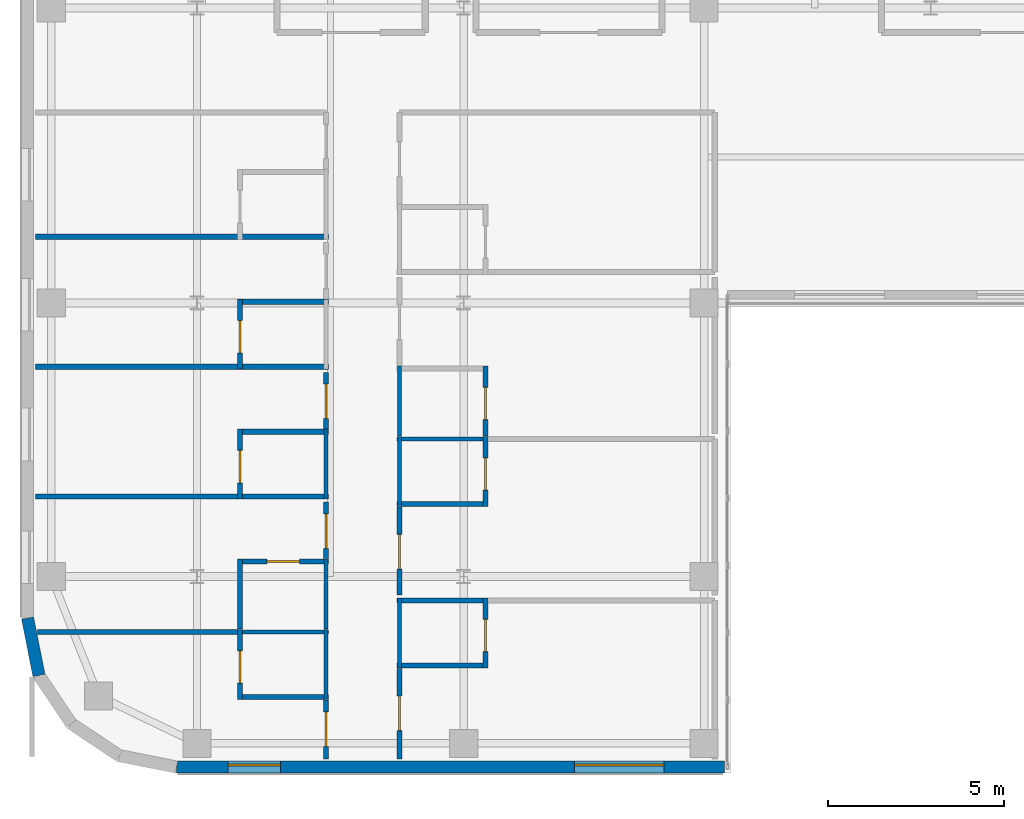
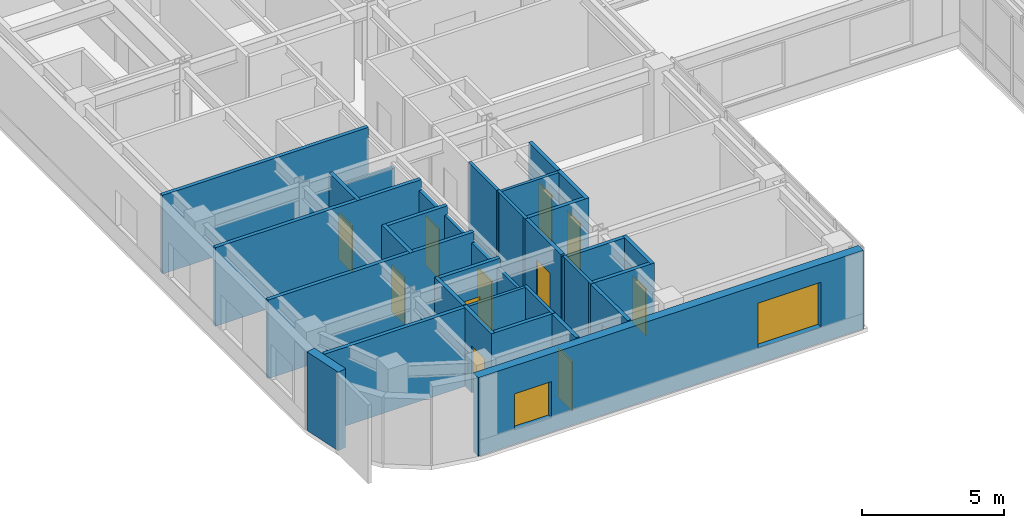
# One storey, part 9 of 21: 33 walls, 12 doors, 2 windows, 14 openings.
"""IFC4 building model written with IfcOpenShell, lengths in metres."""

from ifc_helpers import new_model, si_unit, direction, frame, frame_2d, origin, place, context, subcontext, project, spatial, rectangle, extrude, source, transform, mapped, material, layer, layer_set, type_object, type_shapes, element, fill, save


model = new_model("IFC4")

# Units and contexts
model_context = context("Model", 3, precision=1e-05, world=origin(), true_north=direction((0.0, 1.0)))
body_context = subcontext(model_context, "Body", "Model", "MODEL_VIEW")
ifc_project = project(units=[si_unit("LENGTHUNIT", "METRE"), si_unit("AREAUNIT", "SQUARE_METRE"), si_unit("VOLUMEUNIT", "CUBIC_METRE"), si_unit("PLANEANGLEUNIT", "RADIAN"), si_unit("MASSUNIT", "GRAM", prefix="KILO")], contexts=[model_context])

# Site, building, storey
site_placement = place(None, origin())
site = spatial("IfcSite", under=ifc_project, at=site_placement, CompositionType="ELEMENT")
building_placement = place(site_placement, origin())
building = spatial("IfcBuilding", under=site, at=building_placement, Name="Tolvann Quenvar Hotel", CompositionType="ELEMENT")
storey_placement = place(building_placement, frame((0.0, 0.0, 161.25)))
storey = spatial("IfcBuildingStorey", under=building, at=storey_placement, Name="L42", CompositionType="ELEMENT", Elevation=161.25)

# Wall, openings, windows
ifc_material_1 = material(Name="Kiln-fired red and buff architectural clay brickwork and terracotta masonry", Category="masonry")
ifc_layer_1 = layer(ifc_material_1, 0.35009765625)
ifc_layer_set_1 = layer_set([ifc_layer_1], Name="Kiln-fired red and buff architectural clay brickwork and terracotta masonry")
wall_type_1 = type_object("IfcWallType", Name="WALL_EXT_BRICK_350", PredefinedType="SOLIDWALL", material=ifc_layer_set_1)
wall_1_placement = place(storey_placement, frame((7.01708984375, 2.77490234375, 0.0), z_axis=(0.0, 0.0, 1.0), x_axis=(1.0, 0.0, 0.0)))
wall_1 = element("IfcWall", 1, at=wall_1_placement, inside=storey, type_object=wall_type_1, Name="Exterior Chicago Brick Wall L42-E04", PredefinedType="SOLIDWALL", context=body_context, shape_type="SweptSolid", body=[
    extrude(rectangle(XDim=15.60791015625, YDim=0.35009765625, at=frame_2d((7.803955078125, 0.0))), origin(), (0.0, 0.0, 1.0), 3.3701171875),
])
opening_1_placement = place(wall_1_placement, frame((11.33203125, 0.0, 0.679931640625)))
opening_1 = element("IfcOpeningElement", 2, at=opening_1_placement, cuts=wall_1, Name="Opening W-09", PredefinedType="OPENING", context=body_context, shape_type="SweptSolid", body=[
    extrude(rectangle(XDim=2.550048828125, YDim=1.919921875, at=frame_2d((1.27490234375, 0.9599609375))), frame((0.0, 0.18505859375, 0.0), z_axis=(0.0, -1.0, 0.0), x_axis=(1.0, 0.0, 0.0)), (0.0, 0.0, 1.0), 0.3701171875),
])
opening_2_placement = place(wall_1_placement, frame((1.466064453125, 0.0, 0.6201171875)))
opening_2 = element("IfcOpeningElement", 3, at=opening_2_placement, cuts=wall_1, Name="Opening W-08", PredefinedType="OPENING", context=body_context, shape_type="SweptSolid", body=[
    extrude(rectangle(XDim=1.5, YDim=1.550048828125, at=frame_2d((0.75, 0.77490234375))), frame((0.0, 0.18505859375, 0.0), z_axis=(0.0, -1.0, 0.0), x_axis=(1.0, 0.0, 0.0)), (0.0, 0.0, 1.0), 0.3701171875),
])
ifc_material_2 = material(Name="Thermally broken bronze-anodised aluminium frame with double low-E glazing", Category="aluminium")
window_type_1 = type_object("IfcWindowType", Name="WIN_COR_1500x2050", PartitioningType="SINGLE_PANEL", PredefinedType="WINDOW", material=ifc_material_2)
shared_shape_1 = source(origin(), body_context, "Body", "SweptSolid", [
    extrude(rectangle(XDim=1.5, YDim=1.550048828125, at=frame_2d((0.75, 0.77490234375))), frame((0.0, 0.090087890625, 0.0), z_axis=(0.0, -1.0, 0.0), x_axis=(1.0, 0.0, 0.0)), (0.0, 0.0, 1.0), 0.06005859375),
])
type_shapes(window_type_1, [shared_shape_1])
window_1_placement = place(opening_2_placement, origin())
window_1 = element("IfcWindow", 4, at=window_1_placement, inside=storey, type_object=window_type_1, Name="Chicago Window W-08 (EW-L42-E04-WD02)", OverallHeight=1.550048828125, OverallWidth=1.5, PartitioningType="SINGLE_PANEL", PredefinedType="WINDOW", context=body_context, shape_type="MappedRepresentation", body=[
    mapped(shared_shape_1, transform((0.0, 0.0, 0.0), x_axis=(1.0, 0.0, 0.0), y_axis=(0.0, 1.0, 0.0), z_axis=(0.0, 0.0, 1.0), scale=1.0)),
])
fill(opening_2, window_1)
window_type_2 = type_object("IfcWindowType", Name="WIN_LNG_2550x1950", PartitioningType="TRIPLE_PANEL_HORIZONTAL", PredefinedType="WINDOW", material=ifc_material_2)
shared_shape_2 = source(origin(), body_context, "Body", "SweptSolid", [
    extrude(rectangle(XDim=2.550048828125, YDim=1.919921875, at=frame_2d((1.27490234375, 0.9599609375))), frame((0.0, 0.090087890625, 0.0), z_axis=(0.0, -1.0, 0.0), x_axis=(1.0, 0.0, 0.0)), (0.0, 0.0, 1.0), 0.06005859375),
])
type_shapes(window_type_2, [shared_shape_2])
window_2_placement = place(opening_1_placement, origin())
window_2 = element("IfcWindow", 5, at=window_2_placement, inside=storey, type_object=window_type_2, Name="Chicago Window W-09 (EW-L42-E04-W01)", OverallHeight=1.919921875, OverallWidth=2.550048828125, PartitioningType="TRIPLE_PANEL_HORIZONTAL", PredefinedType="WINDOW", context=body_context, shape_type="MappedRepresentation", body=[
    mapped(shared_shape_2, transform((0.0, 0.0, 0.0), x_axis=(1.0, 0.0, 0.0), y_axis=(0.0, 1.0, 0.0), z_axis=(0.0, 0.0, 1.0), scale=1.0)),
])
fill(opening_1, window_2)

# Walls
wall_2_placement = place(storey_placement, frame((2.77490234375, 7.01708984375, 0.0), z_axis=(0.0, 0.0, 1.0), x_axis=(0.195072403631, -0.980788844421, 0.0)))
element("IfcWall", 6, at=wall_2_placement, inside=storey, type_object=wall_type_1, Name="Exterior Chicago Brick Wall L42-E24", PredefinedType="SOLIDWALL", context=body_context, shape_type="SweptSolid", body=[
    extrude(rectangle(XDim=1.66455078125, YDim=0.35009765625, at=frame_2d((0.832275390625, 0.0))), origin(), (0.0, 0.0, 1.0), 3.3701171875),
])
ifc_material_3 = material(Name="Moisture-resistant acoustic plumbing wall assembly")
ifc_layer_2 = layer(ifc_material_3, 0.1201171875)
ifc_layer_set_2 = layer_set([ifc_layer_2], Name="Moisture-resistant acoustic plumbing wall assembly")
wall_type_2 = type_object("IfcWallType", Name="WALL_PART_BATH_120", PredefinedType="PLUMBINGWALL", material=ifc_layer_set_2)
wall_3_placement = place(storey_placement, frame((8.760009765625, 6.6201171875, 0.0), z_axis=(0.0, 0.0, 1.0), x_axis=(1.0, 0.0, 0.0)))
element("IfcWall", 7, at=wall_3_placement, inside=storey, type_object=wall_type_2, Name="Non-Rated Plumbing Partition PT-SPC-L42-ENS-WO01-N", PredefinedType="PLUMBINGWALL", context=body_context, shape_type="SweptSolid", body=[
    extrude(rectangle(XDim=2.590087890625, YDim=0.1201171875, at=frame_2d((1.294921875, 0.0))), origin(), (0.0, 0.0, 1.0), 3.3701171875),
])
wall_4_placement = place(storey_placement, frame((11.280029296875, 4.699951171875, 0.0), z_axis=(0.0, 0.0, 1.0), x_axis=(0.0, 1.0, 0.0)))
element("IfcWall", 8, at=wall_4_placement, inside=storey, type_object=wall_type_2, Name="Non-Rated Plumbing Partition PT-SPC-L42-ENS-WO01-E", PredefinedType="PLUMBINGWALL", context=body_context, shape_type="SweptSolid", body=[
    extrude(rectangle(XDim=1.989990234375, YDim=0.1201171875, at=frame_2d((0.9951171875, 0.0))), origin(), (0.0, 0.0, 1.0), 3.3701171875),
])
for number, where, z_axis, x_axis, name in (
    (9, (11.280029296875, 6.7099609375, 0.0), (0.0, 0.0, 1.0), (0.0, 1.0, 0.0), "Non-Rated Plumbing Partition PT-SPC-L42-ENS-WO02-E"),
    (10, (11.280029296875, 10.409912109375, 0.0), (0.0, 0.0, 1.0), (0.0, 1.0, 0.0), "Non-Rated Plumbing Partition PT-SPC-L42-ENS-WO03-E"),
):
    element("IfcWall", number, at=place(storey_placement, frame(where, z_axis=z_axis, x_axis=x_axis)), inside=storey, type_object=wall_type_2, Name=name, PredefinedType="PLUMBINGWALL", context=body_context, shape_type="SweptSolid", body=[
        extrude(rectangle(XDim=1.989990234375, YDim=0.1201171875, at=frame_2d((0.9951171875, 0.0))), origin(), (0.0, 0.0, 1.0), 3.0009765625),
    ])
wall_5_placement = place(storey_placement, frame((13.3701171875, 5.60009765625, 0.0), z_axis=(0.0, 0.0, 1.0), x_axis=(0.0, 1.0, 0.0)))
element("IfcWall", 11, at=wall_5_placement, inside=storey, type_object=wall_type_2, Name="Non-Rated Plumbing Partition PT-SPC-L42-ENS-WI01-W", PredefinedType="PLUMBINGWALL", context=body_context, shape_type="SweptSolid", body=[
    extrude(rectangle(XDim=1.989990234375, YDim=0.1201171875, at=frame_2d((0.9951171875, 0.0))), origin(), (0.0, 0.0, 1.0), 3.3701171875),
])
wall_6_placement = place(storey_placement, frame((13.300048828125, 12.1201171875, 0.0), z_axis=(0.0, 0.0, 1.0), x_axis=(1.0, 0.0, 0.0)))
element("IfcWall", 12, at=wall_6_placement, inside=storey, type_object=wall_type_2, Name="Non-Rated Plumbing Partition PT-SPC-L42-ENS-WI02-N", PredefinedType="PLUMBINGWALL", context=body_context, shape_type="SweptSolid", body=[
    extrude(rectangle(XDim=2.58984375, YDim=0.1201171875, at=frame_2d((1.294921875, 0.0))), origin(), (0.0, 0.0, 1.0), 3.3701171875),
])
for number, where, z_axis, x_axis, name in (
    (13, (13.3701171875, 10.199951171875, 0.0), (0.0, 0.0, 1.0), (0.0, 1.0, 0.0), "Non-Rated Plumbing Partition PT-SPC-L42-ENS-WI02-W"),
    (14, (13.3701171875, 12.2099609375, 0.0), (0.0, 0.0, 1.0), (0.0, 1.0, 0.0), "Non-Rated Plumbing Partition PT-SPC-L42-ENS-WI03-W"),
):
    element("IfcWall", number, at=place(storey_placement, frame(where, z_axis=z_axis, x_axis=x_axis)), inside=storey, type_object=wall_type_2, Name=name, PredefinedType="PLUMBINGWALL", context=body_context, shape_type="SweptSolid", body=[
        extrude(rectangle(XDim=1.989990234375, YDim=0.1201171875, at=frame_2d((0.9951171875, 0.0))), origin(), (0.0, 0.0, 1.0), 3.3701171875),
    ])

# Wall, opening, door
ifc_material_4 = material(Name="Acoustic twin-stud fire-rated gypsum plasterboard partition")
ifc_layer_3 = layer(ifc_material_4, 0.14990234375)
ifc_layer_set_3 = layer_set([ifc_layer_3], Name="Acoustic twin-stud fire-rated gypsum plasterboard partition")
wall_type_3 = type_object("IfcWallType", Name="WALL_PART_SUITE_150", PredefinedType="PARTITIONING", material=ifc_layer_set_3)
wall_7_placement = place(storey_placement, frame((8.830078125, 4.699951171875, 0.0), z_axis=(0.0, 0.0, 1.0), x_axis=(0.0, 1.0, 0.0)))
wall_7 = element("IfcWall", 15, at=wall_7_placement, inside=storey, type_object=wall_type_3, Name="Interior Partition PT-SPC-L42-ENS-WO01-ENT", PredefinedType="PARTITIONING", context=body_context, shape_type="SweptSolid", body=[
    extrude(rectangle(XDim=1.989990234375, YDim=0.14990234375, at=frame_2d((0.9951171875, 0.0))), origin(), (0.0, 0.0, 1.0), 3.3701171875),
])
opening_3_placement = place(wall_7_placement, frame((0.465087890625, 0.0, 0.0)))
opening_3 = element("IfcOpeningElement", 16, at=opening_3_placement, cuts=wall_7, Name="Opening WD-01", PredefinedType="OPENING", context=body_context, shape_type="SweptSolid", body=[
    extrude(rectangle(XDim=0.919921875, YDim=2.010009765625, at=frame_2d((0.4599609375, 1.0048828125))), frame((0.0, 0.0849609375, 0.0), z_axis=(0.0, -1.0, 0.0), x_axis=(1.0, 0.0, 0.0)), (0.0, 0.0, 1.0), 0.169921875),
])
ifc_material_5 = material(Name="Solid-core American oak acoustic fire door leaf in steel frame", Category="steel")
door_type_1 = type_object("IfcDoorType", Name="DOOR_WC_920", OperationType="NOTDEFINED", PredefinedType="DOOR", material=ifc_material_5)
shared_shape_3 = source(origin(), body_context, "Body", "SweptSolid", [
    extrude(rectangle(XDim=0.919921875, YDim=2.010009765625, at=frame_2d((0.4599609375, 1.0048828125))), frame((0.0, 0.02490234375, 0.0), z_axis=(0.0, -1.0, 0.0), x_axis=(1.0, 0.0, 0.0)), (0.0, 0.0, 1.0), 0.050048828125),
])
type_shapes(door_type_1, [shared_shape_3])
door_1_placement = place(opening_3_placement, origin())
door_1 = element("IfcDoor", 17, at=door_1_placement, inside=storey, type_object=door_type_1, Name="Interior Door DOOR-SPC-L42-ENS-WO01", OperationType="SINGLE_SWING_RIGHT", OverallHeight=2.010009765625, OverallWidth=0.919921875, PredefinedType="DOOR", context=body_context, shape_type="MappedRepresentation", body=[
    mapped(shared_shape_3, transform((0.0, 0.0, 0.0), x_axis=(1.0, 0.0, 0.0), y_axis=(0.0, 1.0, 0.0), z_axis=(0.0, 0.0, 1.0), scale=1.0)),
])
fill(opening_3, door_1)

# Walls
wall_8_placement = place(storey_placement, frame((8.760009765625, 4.77001953125, 0.0), z_axis=(0.0, 0.0, 1.0), x_axis=(1.0, 0.0, 0.0)))
element("IfcWall", 18, at=wall_8_placement, inside=storey, type_object=wall_type_3, Name="Interior Partition PT-SPC-L42-ENS-WO01-S", PredefinedType="PARTITIONING", context=body_context, shape_type="SweptSolid", body=[
    extrude(rectangle(XDim=2.590087890625, YDim=0.14990234375, at=frame_2d((1.294921875, 0.0))), origin(), (0.0, 0.0, 1.0), 3.3701171875),
])
wall_9_placement = place(storey_placement, frame((8.830078125, 6.7099609375, 0.0), z_axis=(0.0, 0.0, 1.0), x_axis=(0.0, 1.0, 0.0)))
element("IfcWall", 19, at=wall_9_placement, inside=storey, type_object=wall_type_3, Name="Interior Partition PT-SPC-L42-ENS-WO02-ENT", PredefinedType="PARTITIONING", context=body_context, shape_type="SweptSolid", body=[
    extrude(rectangle(XDim=1.989990234375, YDim=0.14990234375, at=frame_2d((0.9951171875, 0.0))), origin(), (0.0, 0.0, 1.0), 3.3701171875),
])

# Wall, opening, door
wall_10_placement = place(storey_placement, frame((8.760009765625, 8.6298828125, 0.0), z_axis=(0.0, 0.0, 1.0), x_axis=(1.0, 0.0, 0.0)))
wall_10 = element("IfcWall", 20, at=wall_10_placement, inside=storey, type_object=wall_type_3, Name="Interior Partition PT-SPC-L42-ENS-WO02-N", PredefinedType="PARTITIONING", context=body_context, shape_type="SweptSolid", body=[
    extrude(rectangle(XDim=2.590087890625, YDim=0.14990234375, at=frame_2d((1.294921875, 0.0))), origin(), (0.0, 0.0, 1.0), 3.3701171875),
])
opening_4_placement = place(wall_10_placement, frame((0.8349609375, 0.0, 0.0)))
opening_4 = element("IfcOpeningElement", 21, at=opening_4_placement, cuts=wall_10, Name="Opening WD-01", PredefinedType="OPENING", context=body_context, shape_type="SweptSolid", body=[
    extrude(rectangle(XDim=0.919921875, YDim=2.010009765625, at=frame_2d((0.4599609375, 1.0048828125))), frame((0.0, 0.0849609375, 0.0), z_axis=(0.0, -1.0, 0.0), x_axis=(1.0, 0.0, 0.0)), (0.0, 0.0, 1.0), 0.169921875),
])
door_2_placement = place(opening_4_placement, origin())
door_2 = element("IfcDoor", 22, at=door_2_placement, inside=storey, type_object=door_type_1, Name="Interior Door DOOR-SPC-L42-ENS-WO02", OperationType="SINGLE_SWING_LEFT", OverallHeight=2.010009765625, OverallWidth=0.919921875, PredefinedType="DOOR", context=body_context, shape_type="MappedRepresentation", body=[
    mapped(shared_shape_3, transform((0.0, 0.0, 0.0), x_axis=(1.0, 0.0, 0.0), y_axis=(0.0, 1.0, 0.0), z_axis=(0.0, 0.0, 1.0), scale=1.0)),
])
fill(opening_4, door_2)

wall_11_placement = place(storey_placement, frame((8.830078125, 10.409912109375, 0.0), z_axis=(0.0, 0.0, 1.0), x_axis=(0.0, 1.0, 0.0)))
wall_11 = element("IfcWall", 23, at=wall_11_placement, inside=storey, type_object=wall_type_3, Name="Interior Partition PT-SPC-L42-ENS-WO03-ENT", PredefinedType="PARTITIONING", context=body_context, shape_type="SweptSolid", body=[
    extrude(rectangle(XDim=1.989990234375, YDim=0.14990234375, at=frame_2d((0.9951171875, 0.0))), origin(), (0.0, 0.0, 1.0), 3.3701171875),
])
opening_5_placement = place(wall_11_placement, frame((0.465087890625, 0.0, 0.0)))
opening_5 = element("IfcOpeningElement", 24, at=opening_5_placement, cuts=wall_11, Name="Opening WD-01", PredefinedType="OPENING", context=body_context, shape_type="SweptSolid", body=[
    extrude(rectangle(XDim=0.919921875, YDim=2.010009765625, at=frame_2d((0.4599609375, 1.0048828125))), frame((0.0, 0.0849609375, 0.0), z_axis=(0.0, -1.0, 0.0), x_axis=(1.0, 0.0, 0.0)), (0.0, 0.0, 1.0), 0.169921875),
])
door_3_placement = place(opening_5_placement, origin())
door_3 = element("IfcDoor", 25, at=door_3_placement, inside=storey, type_object=door_type_1, Name="Interior Door DOOR-SPC-L42-ENS-WO03", OperationType="SINGLE_SWING_RIGHT", OverallHeight=2.010009765625, OverallWidth=0.919921875, PredefinedType="DOOR", context=body_context, shape_type="MappedRepresentation", body=[
    mapped(shared_shape_3, transform((0.0, 0.0, 0.0), x_axis=(1.0, 0.0, 0.0), y_axis=(0.0, 1.0, 0.0), z_axis=(0.0, 0.0, 1.0), scale=1.0)),
])
fill(opening_5, door_3)

# Walls
wall_12_placement = place(storey_placement, frame((3.0048828125, 10.47998046875, 0.0), z_axis=(0.0, 0.0, 1.0), x_axis=(1.0, 0.0, 0.0)))
element("IfcWall", 26, at=wall_12_placement, inside=storey, type_object=wall_type_3, Name="Interior Partition PT-SPC-L42-ENS-WO03-S", PredefinedType="PARTITIONING", context=body_context, shape_type="SweptSolid", body=[
    extrude(rectangle(XDim=8.34521484375, YDim=0.14990234375, at=frame_2d((4.172607421875, 0.0))), origin(), (0.0, 0.0, 1.0), 3.3701171875),
])
wall_13_placement = place(storey_placement, frame((8.760009765625, 12.330078125, 0.0), z_axis=(0.0, 0.0, 1.0), x_axis=(1.0, 0.0, 0.0)))
element("IfcWall", 27, at=wall_13_placement, inside=storey, type_object=wall_type_3, Name="Interior Partition PT-SPC-L42-ENS-WO03-N", PredefinedType="PARTITIONING", context=body_context, shape_type="SweptSolid", body=[
    extrude(rectangle(XDim=2.590087890625, YDim=0.14990234375, at=frame_2d((1.294921875, 0.0))), origin(), (0.0, 0.0, 1.0), 3.3701171875),
])

# Wall, opening, door
wall_14_placement = place(storey_placement, frame((8.830078125, 14.110107421875, 0.0), z_axis=(0.0, 0.0, 1.0), x_axis=(0.0, 1.0, 0.0)))
wall_14 = element("IfcWall", 28, at=wall_14_placement, inside=storey, type_object=wall_type_3, Name="Interior Partition PT-SPC-L42-ENS-WO04-ENT", PredefinedType="PARTITIONING", context=body_context, shape_type="SweptSolid", body=[
    extrude(rectangle(XDim=1.989990234375, YDim=0.14990234375, at=frame_2d((0.9951171875, 0.0))), origin(), (0.0, 0.0, 1.0), 3.3701171875),
])
opening_6_placement = place(wall_14_placement, frame((0.465087890625, 0.0, 0.0)))
opening_6 = element("IfcOpeningElement", 29, at=opening_6_placement, cuts=wall_14, Name="Opening WD-01", PredefinedType="OPENING", context=body_context, shape_type="SweptSolid", body=[
    extrude(rectangle(XDim=0.919921875, YDim=2.010009765625, at=frame_2d((0.4599609375, 1.0048828125))), frame((0.0, 0.0849609375, 0.0), z_axis=(0.0, -1.0, 0.0), x_axis=(1.0, 0.0, 0.0)), (0.0, 0.0, 1.0), 0.169921875),
])
door_4_placement = place(opening_6_placement, origin())
door_4 = element("IfcDoor", 30, at=door_4_placement, inside=storey, type_object=door_type_1, Name="Interior Door DOOR-SPC-L42-ENS-WO04", OperationType="SINGLE_SWING_LEFT", OverallHeight=2.010009765625, OverallWidth=0.919921875, PredefinedType="DOOR", context=body_context, shape_type="MappedRepresentation", body=[
    mapped(shared_shape_3, transform((0.0, 0.0, 0.0), x_axis=(1.0, 0.0, 0.0), y_axis=(0.0, 1.0, 0.0), z_axis=(0.0, 0.0, 1.0), scale=1.0)),
])
fill(opening_6, door_4)

# Walls
wall_15_placement = place(storey_placement, frame((3.0048828125, 14.179931640625, 0.0), z_axis=(0.0, 0.0, 1.0), x_axis=(1.0, 0.0, 0.0)))
element("IfcWall", 31, at=wall_15_placement, inside=storey, type_object=wall_type_3, Name="Interior Partition PT-SPC-L42-ENS-WO04-S", PredefinedType="PARTITIONING", context=body_context, shape_type="SweptSolid", body=[
    extrude(rectangle(XDim=8.34521484375, YDim=0.14990234375, at=frame_2d((4.172607421875, 0.0))), origin(), (0.0, 0.0, 1.0), 3.3701171875),
])
wall_16_placement = place(storey_placement, frame((8.760009765625, 16.030029296875, 0.0), z_axis=(0.0, 0.0, 1.0), x_axis=(1.0, 0.0, 0.0)))
element("IfcWall", 32, at=wall_16_placement, inside=storey, type_object=wall_type_3, Name="Interior Partition PT-SPC-L42-ENS-WO04-N", PredefinedType="PARTITIONING", context=body_context, shape_type="SweptSolid", body=[
    extrude(rectangle(XDim=2.590087890625, YDim=0.14990234375, at=frame_2d((1.294921875, 0.0))), origin(), (0.0, 0.0, 1.0), 2.758056640625),
])
wall_17_placement = place(storey_placement, frame((3.0048828125, 17.8798828125, 0.0), z_axis=(0.0, 0.0, 1.0), x_axis=(1.0, 0.0, 0.0)))
element("IfcWall", 33, at=wall_17_placement, inside=storey, type_object=wall_type_3, Name="Interior Partition PT-SPC-L42-ENS-WO05-S", PredefinedType="PARTITIONING", context=body_context, shape_type="SweptSolid", body=[
    extrude(rectangle(XDim=8.34521484375, YDim=0.14990234375, at=frame_2d((4.172607421875, 0.0))), origin(), (0.0, 0.0, 1.0), 3.3701171875),
])

# Wall, opening, door
wall_18_placement = place(storey_placement, frame((15.820068359375, 5.60009765625, 0.0), z_axis=(0.0, 0.0, 1.0), x_axis=(0.0, 1.0, 0.0)))
wall_18 = element("IfcWall", 34, at=wall_18_placement, inside=storey, type_object=wall_type_3, Name="Interior Partition PT-SPC-L42-ENS-WI01-ENT", PredefinedType="PARTITIONING", context=body_context, shape_type="SweptSolid", body=[
    extrude(rectangle(XDim=1.989990234375, YDim=0.14990234375, at=frame_2d((0.9951171875, 0.0))), origin(), (0.0, 0.0, 1.0), 3.3701171875),
])
opening_7_placement = place(wall_18_placement, frame((0.465087890625, 0.0, 0.0)))
opening_7 = element("IfcOpeningElement", 35, at=opening_7_placement, cuts=wall_18, Name="Opening WD-01", PredefinedType="OPENING", context=body_context, shape_type="SweptSolid", body=[
    extrude(rectangle(XDim=0.919921875, YDim=2.010009765625, at=frame_2d((0.4599609375, 1.0048828125))), frame((0.0, 0.0849609375, 0.0), z_axis=(0.0, -1.0, 0.0), x_axis=(1.0, 0.0, 0.0)), (0.0, 0.0, 1.0), 0.169921875),
])
door_5_placement = place(opening_7_placement, origin())
door_5 = element("IfcDoor", 36, at=door_5_placement, inside=storey, type_object=door_type_1, Name="Interior Door DOOR-SPC-L42-ENS-WI01", OperationType="SINGLE_SWING_LEFT", OverallHeight=2.010009765625, OverallWidth=0.919921875, PredefinedType="DOOR", context=body_context, shape_type="MappedRepresentation", body=[
    mapped(shared_shape_3, transform((0.0, 0.0, 0.0), x_axis=(1.0, 0.0, 0.0), y_axis=(0.0, 1.0, 0.0), z_axis=(0.0, 0.0, 1.0), scale=1.0)),
])
fill(opening_7, door_5)

# Walls
for number, where, z_axis, x_axis, name in (
    (37, (13.300048828125, 5.669921875, 0.0), (0.0, 0.0, 1.0), (1.0, 0.0, 0.0), "Interior Partition PT-SPC-L42-ENS-WI01-S"),
    (38, (13.300048828125, 7.52001953125, 0.0), (0.0, 0.0, 1.0), (1.0, 0.0, 0.0), "Interior Partition PT-SPC-L42-ENS-WI01-N"),
):
    element("IfcWall", number, at=place(storey_placement, frame(where, z_axis=z_axis, x_axis=x_axis)), inside=storey, type_object=wall_type_3, Name=name, PredefinedType="PARTITIONING", context=body_context, shape_type="SweptSolid", body=[
        extrude(rectangle(XDim=2.58984375, YDim=0.14990234375, at=frame_2d((1.294921875, 0.0))), origin(), (0.0, 0.0, 1.0), 3.3701171875),
    ])

# Wall, opening, door
wall_19_placement = place(storey_placement, frame((15.820068359375, 10.199951171875, 0.0), z_axis=(0.0, 0.0, 1.0), x_axis=(0.0, 1.0, 0.0)))
wall_19 = element("IfcWall", 39, at=wall_19_placement, inside=storey, type_object=wall_type_3, Name="Interior Partition PT-SPC-L42-ENS-WI02-ENT", PredefinedType="PARTITIONING", context=body_context, shape_type="SweptSolid", body=[
    extrude(rectangle(XDim=1.989990234375, YDim=0.14990234375, at=frame_2d((0.9951171875, 0.0))), origin(), (0.0, 0.0, 1.0), 3.3701171875),
])
opening_8_placement = place(wall_19_placement, frame((0.465087890625, 0.0, 0.0)))
opening_8 = element("IfcOpeningElement", 40, at=opening_8_placement, cuts=wall_19, Name="Opening WD-01", PredefinedType="OPENING", context=body_context, shape_type="SweptSolid", body=[
    extrude(rectangle(XDim=0.919921875, YDim=2.010009765625, at=frame_2d((0.4599609375, 1.0048828125))), frame((0.0, 0.0849609375, 0.0), z_axis=(0.0, -1.0, 0.0), x_axis=(1.0, 0.0, 0.0)), (0.0, 0.0, 1.0), 0.169921875),
])
door_6_placement = place(opening_8_placement, origin())
door_6 = element("IfcDoor", 41, at=door_6_placement, inside=storey, type_object=door_type_1, Name="Interior Door DOOR-SPC-L42-ENS-WI02", OperationType="SINGLE_SWING_RIGHT", OverallHeight=2.010009765625, OverallWidth=0.919921875, PredefinedType="DOOR", context=body_context, shape_type="MappedRepresentation", body=[
    mapped(shared_shape_3, transform((0.0, 0.0, 0.0), x_axis=(1.0, 0.0, 0.0), y_axis=(0.0, 1.0, 0.0), z_axis=(0.0, 0.0, 1.0), scale=1.0)),
])
fill(opening_8, door_6)

# Wall
wall_20_placement = place(storey_placement, frame((13.300048828125, 10.27001953125, 0.0), z_axis=(0.0, 0.0, 1.0), x_axis=(1.0, 0.0, 0.0)))
element("IfcWall", 42, at=wall_20_placement, inside=storey, type_object=wall_type_3, Name="Interior Partition PT-SPC-L42-ENS-WI02-S", PredefinedType="PARTITIONING", context=body_context, shape_type="SweptSolid", body=[
    extrude(rectangle(XDim=2.58984375, YDim=0.14990234375, at=frame_2d((1.294921875, 0.0))), origin(), (0.0, 0.0, 1.0), 3.3701171875),
])

# Wall, opening, door
wall_21_placement = place(storey_placement, frame((15.820068359375, 12.2099609375, 0.0), z_axis=(0.0, 0.0, 1.0), x_axis=(0.0, 1.0, 0.0)))
wall_21 = element("IfcWall", 43, at=wall_21_placement, inside=storey, type_object=wall_type_3, Name="Interior Partition PT-SPC-L42-ENS-WI03-ENT", PredefinedType="PARTITIONING", context=body_context, shape_type="SweptSolid", body=[
    extrude(rectangle(XDim=1.989990234375, YDim=0.14990234375, at=frame_2d((0.9951171875, 0.0))), origin(), (0.0, 0.0, 1.0), 3.3701171875),
])
opening_9_placement = place(wall_21_placement, frame((0.465087890625, 0.0, 0.0)))
opening_9 = element("IfcOpeningElement", 44, at=opening_9_placement, cuts=wall_21, Name="Opening WD-01", PredefinedType="OPENING", context=body_context, shape_type="SweptSolid", body=[
    extrude(rectangle(XDim=0.919921875, YDim=2.010009765625, at=frame_2d((0.4599609375, 1.0048828125))), frame((0.0, 0.0849609375, 0.0), z_axis=(0.0, -1.0, 0.0), x_axis=(1.0, 0.0, 0.0)), (0.0, 0.0, 1.0), 0.169921875),
])
door_7_placement = place(opening_9_placement, origin())
door_7 = element("IfcDoor", 45, at=door_7_placement, inside=storey, type_object=door_type_1, Name="Interior Door DOOR-SPC-L42-ENS-WI03", OperationType="SINGLE_SWING_LEFT", OverallHeight=2.010009765625, OverallWidth=0.919921875, PredefinedType="DOOR", context=body_context, shape_type="MappedRepresentation", body=[
    mapped(shared_shape_3, transform((0.0, 0.0, 0.0), x_axis=(1.0, 0.0, 0.0), y_axis=(0.0, 1.0, 0.0), z_axis=(0.0, 0.0, 1.0), scale=1.0)),
])
fill(opening_9, door_7)

wall_22_placement = place(storey_placement, frame((11.280029296875, 3.0048828125, 0.0), z_axis=(0.0, 0.0, 1.0), x_axis=(0.0, 1.0, 0.0)))
wall_22 = element("IfcWall", 46, at=wall_22_placement, inside=storey, type_object=wall_type_3, Name="Interior Partition PT-SPC-L42-RM-WO01-ENT", PredefinedType="PARTITIONING", context=body_context, shape_type="SweptSolid", body=[
    extrude(rectangle(XDim=1.68505859375, YDim=0.14990234375, at=frame_2d((0.842529296875, 0.0))), origin(), (0.0, 0.0, 1.0), 3.3701171875),
])
opening_10_placement = place(wall_22_placement, frame((0.360107421875, 0.0, 0.0)))
opening_10 = element("IfcOpeningElement", 47, at=opening_10_placement, cuts=wall_22, Name="Opening SD-01", PredefinedType="OPENING", context=body_context, shape_type="SweptSolid", body=[
    extrude(rectangle(XDim=0.97998046875, YDim=2.1201171875, at=frame_2d((0.489990234375, 1.06005859375))), frame((0.0, 0.0849609375, 0.0), z_axis=(0.0, -1.0, 0.0), x_axis=(1.0, 0.0, 0.0)), (0.0, 0.0, 1.0), 0.169921875),
])
door_type_2 = type_object("IfcDoorType", Name="DOOR_SUITE_980", OperationType="NOTDEFINED", PredefinedType="DOOR", material=ifc_material_5)
shared_shape_4 = source(origin(), body_context, "Body", "SweptSolid", [
    extrude(rectangle(XDim=0.97998046875, YDim=2.1201171875, at=frame_2d((0.489990234375, 1.06005859375))), frame((0.0, 0.02490234375, 0.0), z_axis=(0.0, -1.0, 0.0), x_axis=(1.0, 0.0, 0.0)), (0.0, 0.0, 1.0), 0.050048828125),
])
type_shapes(door_type_2, [shared_shape_4])
door_8_placement = place(opening_10_placement, origin())
door_8 = element("IfcDoor", 48, at=door_8_placement, inside=storey, type_object=door_type_2, Name="Interior Door DOOR-SPC-L42-RM-WO01", OperationType="SINGLE_SWING_LEFT", OverallHeight=2.1201171875, OverallWidth=0.97998046875, PredefinedType="DOOR", context=body_context, shape_type="MappedRepresentation", body=[
    mapped(shared_shape_4, transform((0.0, 0.0, 0.0), x_axis=(1.0, 0.0, 0.0), y_axis=(0.0, 1.0, 0.0), z_axis=(0.0, 0.0, 1.0), scale=1.0)),
])
fill(opening_10, door_8)

# Wall
wall_23_placement = place(storey_placement, frame((3.056884765625, 6.6201171875, 0.0), z_axis=(0.0, 0.0, 1.0), x_axis=(1.0, 0.0, 0.0)))
element("IfcWall", 49, at=wall_23_placement, inside=storey, type_object=wall_type_3, Name="Interior Partition PT-SPC-L42-RM-WO01-E5", PredefinedType="PARTITIONING", context=body_context, shape_type="SweptSolid", body=[
    extrude(rectangle(XDim=5.693115234375, YDim=0.14990234375, at=frame_2d((2.8466796875, 0.0))), origin(), (0.0, 0.0, 1.0), 3.3701171875),
])

# Wall, opening, door
wall_24_placement = place(storey_placement, frame((11.280029296875, 8.7099609375, 0.0), z_axis=(0.0, 0.0, 1.0), x_axis=(0.0, 1.0, 0.0)))
wall_24 = element("IfcWall", 50, at=wall_24_placement, inside=storey, type_object=wall_type_3, Name="Interior Partition PT-SPC-L42-RM-WO02-ENT", PredefinedType="PARTITIONING", context=body_context, shape_type="SweptSolid", body=[
    extrude(rectangle(XDim=1.610107421875, YDim=0.14990234375, at=frame_2d((0.80517578125, 0.0))), origin(), (0.0, 0.0, 1.0), 3.0009765625),
])
opening_11_placement = place(wall_24_placement, frame((0.294921875, 0.0, 0.0)))
opening_11 = element("IfcOpeningElement", 51, at=opening_11_placement, cuts=wall_24, Name="Opening SD-01", PredefinedType="OPENING", context=body_context, shape_type="SweptSolid", body=[
    extrude(rectangle(XDim=0.97998046875, YDim=2.1201171875, at=frame_2d((0.489990234375, 1.06005859375))), frame((0.0, 0.0849609375, 0.0), z_axis=(0.0, -1.0, 0.0), x_axis=(1.0, 0.0, 0.0)), (0.0, 0.0, 1.0), 0.169921875),
])
door_9_placement = place(opening_11_placement, origin())
door_9 = element("IfcDoor", 52, at=door_9_placement, inside=storey, type_object=door_type_2, Name="Interior Door DOOR-SPC-L42-RM-WO02", OperationType="SINGLE_SWING_RIGHT", OverallHeight=2.1201171875, OverallWidth=0.97998046875, PredefinedType="DOOR", context=body_context, shape_type="MappedRepresentation", body=[
    mapped(shared_shape_4, transform((0.0, 0.0, 0.0), x_axis=(1.0, 0.0, 0.0), y_axis=(0.0, 1.0, 0.0), z_axis=(0.0, 0.0, 1.0), scale=1.0)),
])
fill(opening_11, door_9)

wall_25_placement = place(storey_placement, frame((11.280029296875, 12.409912109375, 0.0), z_axis=(0.0, 0.0, 1.0), x_axis=(0.0, 1.0, 0.0)))
wall_25 = element("IfcWall", 53, at=wall_25_placement, inside=storey, type_object=wall_type_3, Name="Interior Partition PT-SPC-L42-RM-WO03-ENT", PredefinedType="PARTITIONING", context=body_context, shape_type="SweptSolid", body=[
    extrude(rectangle(XDim=1.610107421875, YDim=0.14990234375, at=frame_2d((0.80517578125, 0.0))), origin(), (0.0, 0.0, 1.0), 3.0009765625),
])
opening_12_placement = place(wall_25_placement, frame((0.294921875, 0.0, 0.0)))
opening_12 = element("IfcOpeningElement", 54, at=opening_12_placement, cuts=wall_25, Name="Opening SD-01", PredefinedType="OPENING", context=body_context, shape_type="SweptSolid", body=[
    extrude(rectangle(XDim=0.97998046875, YDim=2.1201171875, at=frame_2d((0.489990234375, 1.06005859375))), frame((0.0, 0.0849609375, 0.0), z_axis=(0.0, -1.0, 0.0), x_axis=(1.0, 0.0, 0.0)), (0.0, 0.0, 1.0), 0.169921875),
])
door_10_placement = place(opening_12_placement, origin())
door_10 = element("IfcDoor", 55, at=door_10_placement, inside=storey, type_object=door_type_2, Name="Interior Door DOOR-SPC-L42-RM-WO03", OperationType="SINGLE_SWING_LEFT", OverallHeight=2.1201171875, OverallWidth=0.97998046875, PredefinedType="DOOR", context=body_context, shape_type="MappedRepresentation", body=[
    mapped(shared_shape_4, transform((0.0, 0.0, 0.0), x_axis=(1.0, 0.0, 0.0), y_axis=(0.0, 1.0, 0.0), z_axis=(0.0, 0.0, 1.0), scale=1.0)),
])
fill(opening_12, door_10)

wall_26_placement = place(storey_placement, frame((13.3701171875, 3.0048828125, 0.0), z_axis=(0.0, 0.0, 1.0), x_axis=(0.0, 1.0, 0.0)))
wall_26 = element("IfcWall", 56, at=wall_26_placement, inside=storey, type_object=wall_type_3, Name="Interior Partition PT-SPC-L42-RM-WI01-ENT", PredefinedType="PARTITIONING", context=body_context, shape_type="SweptSolid", body=[
    extrude(rectangle(XDim=2.585205078125, YDim=0.14990234375, at=frame_2d((1.29248046875, 0.0))), origin(), (0.0, 0.0, 1.0), 3.3701171875),
])
opening_13_placement = place(wall_26_placement, frame((0.81005859375, 0.0, 0.0)))
opening_13 = element("IfcOpeningElement", 57, at=opening_13_placement, cuts=wall_26, Name="Opening SD-01", PredefinedType="OPENING", context=body_context, shape_type="SweptSolid", body=[
    extrude(rectangle(XDim=0.97998046875, YDim=2.1201171875, at=frame_2d((0.489990234375, 1.06005859375))), frame((0.0, 0.0849609375, 0.0), z_axis=(0.0, -1.0, 0.0), x_axis=(1.0, 0.0, 0.0)), (0.0, 0.0, 1.0), 0.169921875),
])
door_11_placement = place(opening_13_placement, origin())
door_11 = element("IfcDoor", 58, at=door_11_placement, inside=storey, type_object=door_type_2, Name="Interior Door DOOR-SPC-L42-RM-WI01", OperationType="SINGLE_SWING_RIGHT", OverallHeight=2.1201171875, OverallWidth=0.97998046875, PredefinedType="DOOR", context=body_context, shape_type="MappedRepresentation", body=[
    mapped(shared_shape_4, transform((0.0, 0.0, 0.0), x_axis=(1.0, 0.0, 0.0), y_axis=(0.0, 1.0, 0.0), z_axis=(0.0, 0.0, 1.0), scale=1.0)),
])
fill(opening_13, door_11)

wall_27_placement = place(storey_placement, frame((13.3701171875, 7.679931640625, 0.0), z_axis=(0.0, 0.0, 1.0), x_axis=(0.0, 1.0, 0.0)))
wall_27 = element("IfcWall", 59, at=wall_27_placement, inside=storey, type_object=wall_type_3, Name="Interior Partition PT-SPC-L42-RM-WI02-ENT", PredefinedType="PARTITIONING", context=body_context, shape_type="SweptSolid", body=[
    extrude(rectangle(XDim=2.510009765625, YDim=0.14990234375, at=frame_2d((1.2548828125, 0.0))), origin(), (0.0, 0.0, 1.0), 3.3701171875),
])
opening_14_placement = place(wall_27_placement, frame((0.7451171875, 0.0, 0.0)))
opening_14 = element("IfcOpeningElement", 60, at=opening_14_placement, cuts=wall_27, Name="Opening SD-01", PredefinedType="OPENING", context=body_context, shape_type="SweptSolid", body=[
    extrude(rectangle(XDim=0.97998046875, YDim=2.1201171875, at=frame_2d((0.489990234375, 1.06005859375))), frame((0.0, 0.0849609375, 0.0), z_axis=(0.0, -1.0, 0.0), x_axis=(1.0, 0.0, 0.0)), (0.0, 0.0, 1.0), 0.169921875),
])
door_12_placement = place(opening_14_placement, origin())
door_12 = element("IfcDoor", 61, at=door_12_placement, inside=storey, type_object=door_type_2, Name="Interior Door DOOR-SPC-L42-RM-WI02", OperationType="SINGLE_SWING_LEFT", OverallHeight=2.1201171875, OverallWidth=0.97998046875, PredefinedType="DOOR", context=body_context, shape_type="MappedRepresentation", body=[
    mapped(shared_shape_4, transform((0.0, 0.0, 0.0), x_axis=(1.0, 0.0, 0.0), y_axis=(0.0, 1.0, 0.0), z_axis=(0.0, 0.0, 1.0), scale=1.0)),
])
fill(opening_14, door_12)

save(model, "model.ifc")
